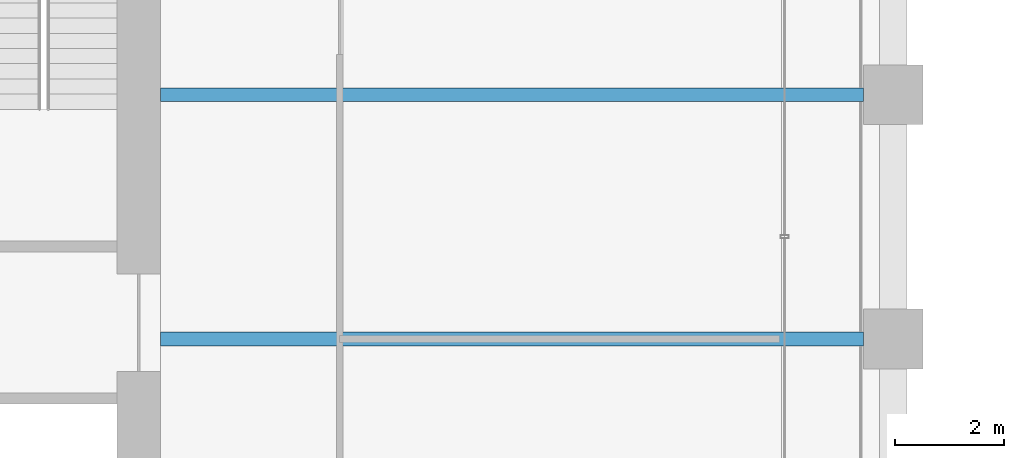
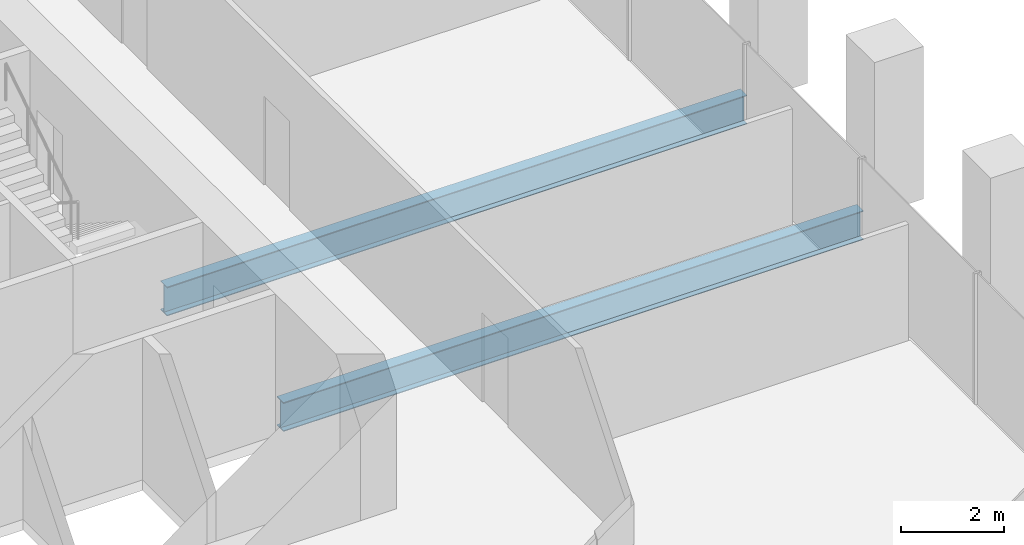
# One storey, part 19 of 56: 2 beams.
"""IFC4 building model written with IfcOpenShell, lengths in metres."""

from ifc_helpers import new_model, si_unit, direction, frame, origin, origin_2d, place, context, subcontext, project, spatial, i_section, extrude, material, material_profile, profile_set, type_object, element, save


model = new_model("IFC4")

# Units and contexts
model_context = context("Model", 3, precision=1e-05, world=origin(), true_north=direction((0.0, 1.0)))
body_context = subcontext(model_context, "Body", "Model", "MODEL_VIEW")
ifc_project = project(units=[si_unit("LENGTHUNIT", "METRE"), si_unit("AREAUNIT", "SQUARE_METRE"), si_unit("VOLUMEUNIT", "CUBIC_METRE"), si_unit("PLANEANGLEUNIT", "RADIAN"), si_unit("MASSUNIT", "GRAM", prefix="KILO")], contexts=[model_context])

# Site, building, storey
site_placement = place(None, origin())
site = spatial("IfcSite", under=ifc_project, at=site_placement, CompositionType="ELEMENT")
building_placement = place(site_placement, origin())
building = spatial("IfcBuilding", under=site, at=building_placement, Name="Altepetl Exchange Towers", CompositionType="ELEMENT")
storey_placement = place(building_placement, frame((0.0, 0.0, 79.800048828125)))
storey = spatial("IfcBuildingStorey", under=building, at=storey_placement, Name="L19", CompositionType="ELEMENT", Elevation=79.800048828125)

# Beams
ifc_material = material(Name="Steel S355", Category="steel")
ifc_material_profile = material_profile(ifc_material, i_section(OverallWidth=0.25390625, OverallDepth=0.68408203125, WebThickness=0.012451171875, FlangeThickness=0.018798828125, at=origin_2d()), Name="W27X94")
ifc_profile_set = profile_set([ifc_material_profile], Name="Steel S355")
beam_type = type_object("IfcBeamType", Name="Floor beam W27X94", PredefinedType="BEAM", material=ifc_profile_set)
for number, where, z_axis, x_axis, name in (
    (1, (58.5, 45.0, -0.491943359375), (1.0, 0.0, 0.0), (0.0, 1.0, 0.0), "bm:A:L19:009"),
    (2, (58.5, 49.5, -0.491943359375), (1.0, 0.0, 0.0), (0.0, 1.0, 0.0), "bm:A:L19:010"),
):
    element("IfcBeam", number, at=place(storey_placement, frame(where, z_axis=z_axis, x_axis=x_axis)), inside=storey, type_object=beam_type, Name=name, PredefinedType="BEAM", context=body_context, shape_type="SweptSolid", body=[
        extrude(i_section(OverallWidth=0.25390625, OverallDepth=0.68408203125, WebThickness=0.012451171875, FlangeThickness=0.018798828125, at=origin_2d()), origin(), (0.0, 0.0, 1.0), 12.949951171875),
    ])

save(model, "model.ifc")
